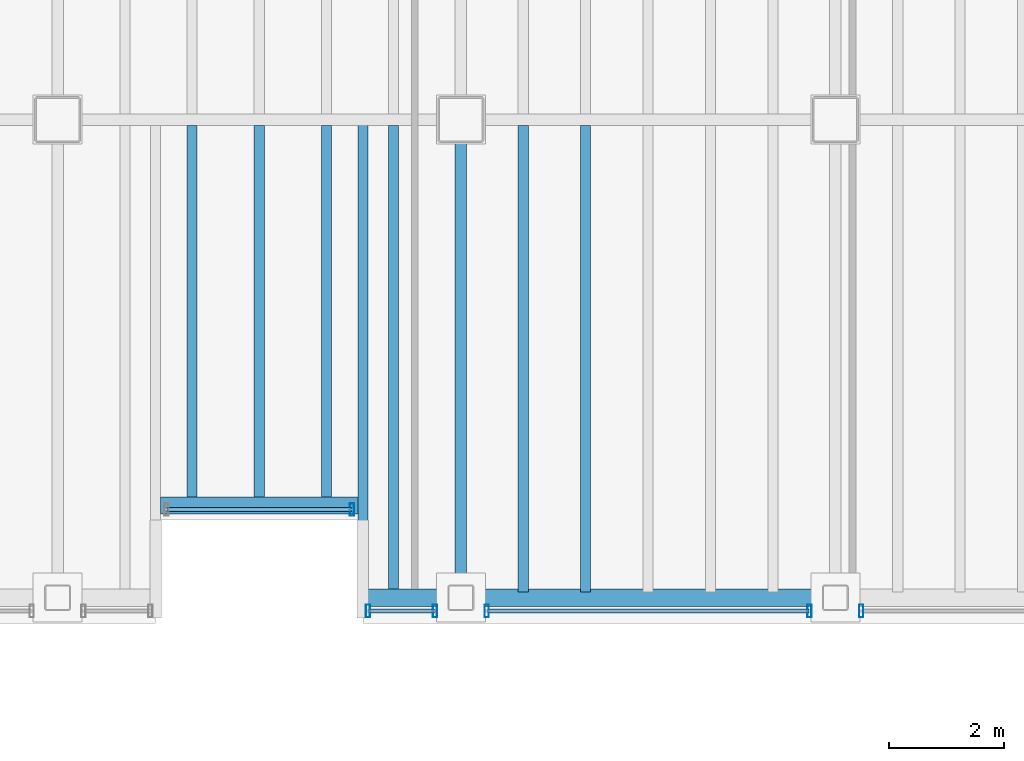
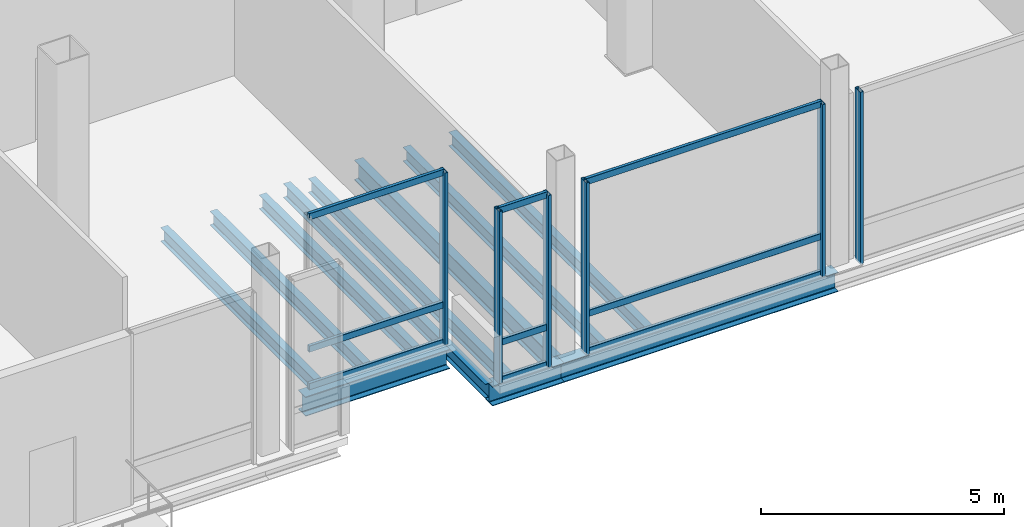
# One storey, part 4 of 15: 15 members, 11 beams, 4 elements without a shape of their own.
"""IFC4 building model written with IfcOpenShell, lengths in metres."""

from ifc_helpers import new_model, si_unit, direction, frame, origin, origin_2d, place, context, subcontext, project, spatial, hollow_rectangle, i_section, extrude, material, material_profile, profile_set, type_object, element, aggregate, save


model = new_model("IFC4")

# Units and contexts
model_context = context("Model", 3, precision=1e-05, world=origin(), true_north=direction((0.0, 1.0)))
body_context = subcontext(model_context, "Body", "Model", "MODEL_VIEW")
ifc_project = project(units=[si_unit("LENGTHUNIT", "METRE"), si_unit("AREAUNIT", "SQUARE_METRE"), si_unit("VOLUMEUNIT", "CUBIC_METRE"), si_unit("PLANEANGLEUNIT", "RADIAN"), si_unit("MASSUNIT", "GRAM", prefix="KILO")], contexts=[model_context])

# Site, building, storey
site_placement = place(None, origin())
site = spatial("IfcSite", under=ifc_project, at=site_placement, CompositionType="ELEMENT")
building_placement = place(site_placement, origin())
building = spatial("IfcBuilding", under=site, at=building_placement, Name="Noeulbin Bourse Tower", CompositionType="ELEMENT")
storey_placement = place(building_placement, frame((0.0, 0.0, 206.10009765625)))
storey = spatial("IfcBuildingStorey", under=building, at=storey_placement, Name="L51", CompositionType="ELEMENT", Elevation=206.10009765625)

# Beams
ifc_material_1 = material(Name="Steel S355", Category="steel")
ifc_material_profile_1 = material_profile(ifc_material_1, i_section(OverallWidth=0.199951171875, OverallDepth=0.5, WebThickness=0.010009765625, FlangeThickness=0.01611328125, FilletRadius=0.02001953125, at=origin_2d()), Name="H-500x200x10x16", Category="LoadBearing")
ifc_profile_set_1 = profile_set([ifc_material_profile_1], Name="Steel S355")
beam_type_1 = type_object("IfcBeamType", Name="BM-GRD-500", PredefinedType="USERDEFINED", material=ifc_profile_set_1)
beam_1_placement = place(storey_placement, frame((31.0, 11.699951171875, -0.43017578125), z_axis=(0.0, 1.0, 0.0), x_axis=(-1.0, 0.0, 0.0)))
element("IfcBeam", 1, at=beam_1_placement, inside=storey, type_object=beam_type_1, Name="Tower Primary Girder NS L51-3.1", ObjectType="GIRDER", PredefinedType="USERDEFINED", context=body_context, shape_type="SweptSolid", body=[
    extrude(i_section(OverallWidth=0.199951171875, OverallDepth=0.5, WebThickness=0.010009765625, FlangeThickness=0.01611328125, FilletRadius=0.02001953125, at=origin_2d()), origin(), (0.0, 0.0, 1.0), 8.300048828125),
])
ifc_material_profile_2 = material_profile(ifc_material_1, i_section(OverallWidth=0.175048828125, OverallDepth=0.35009765625, WebThickness=0.007080078125, FlangeThickness=0.010986328125, FilletRadius=0.013916015625, at=origin_2d()), Name="H-350x175x7x11", Category="LoadBearing")
ifc_profile_set_2 = profile_set([ifc_material_profile_2], Name="Steel S355")
beam_type_2 = type_object("IfcBeamType", Name="BM-JST-350", PredefinedType="JOIST", material=ifc_profile_set_2)
beam_2_placement = place(storey_placement, frame((29.300048828125, 11.699951171875, -0.35498046875), z_axis=(0.0, 1.0, 0.0), x_axis=(-1.0, 0.0, 0.0)))
element("IfcBeam", 2, at=beam_2_placement, inside=storey, type_object=beam_type_2, Name="BM-L51-SRT-E", PredefinedType="JOIST", context=body_context, shape_type="SweptSolid", body=[
    extrude(i_section(OverallWidth=0.175048828125, OverallDepth=0.35009765625, WebThickness=0.007080078125, FlangeThickness=0.010986328125, FilletRadius=0.013916015625, at=origin_2d()), origin(), (0.0, 0.0, 1.0), 8.300048828125),
])
for number, where, z_axis, x_axis, name in (
    (3, (26.333251953125, 13.39990234375, -0.35498046875), (0.0, 1.0, 0.0), (-1.0, 0.0, 0.0), "Tower Composite Joist L51-19"),
    (4, (27.5, 13.39990234375, -0.35498046875), (0.0, 1.0, 0.0), (-1.0, 0.0, 0.0), "Tower Composite Joist L51-21"),
    (5, (28.666748046875, 13.39990234375, -0.35498046875), (0.0, 1.0, 0.0), (-1.0, 0.0, 0.0), "Tower Composite Joist L51-23"),
):
    element("IfcBeam", number, at=place(storey_placement, frame(where, z_axis=z_axis, x_axis=x_axis)), inside=storey, type_object=beam_type_2, Name=name, PredefinedType="JOIST", context=body_context, shape_type="SweptSolid", body=[
        extrude(i_section(OverallWidth=0.175048828125, OverallDepth=0.35009765625, WebThickness=0.007080078125, FlangeThickness=0.010986328125, FilletRadius=0.013916015625, at=origin_2d()), origin(), (0.0, 0.0, 1.0), 6.5),
    ])
for number, where, z_axis, x_axis, name in (
    (6, (29.833251953125, 11.800048828125, -0.35498046875), (0.0, 1.0, 0.0), (-1.0, 0.0, 0.0), "Tower Composite Joist L51-25"),
    (7, (32.083251953125, 11.800048828125, -0.35498046875), (0.0, 1.0, 0.0), (-1.0, 0.0, 0.0), "Tower Composite Joist L51-27"),
    (8, (33.166748046875, 11.800048828125, -0.35498046875), (0.0, 1.0, 0.0), (-1.0, 0.0, 0.0), "Tower Composite Joist L51-29"),
):
    element("IfcBeam", number, at=place(storey_placement, frame(where, z_axis=z_axis, x_axis=x_axis)), inside=storey, type_object=beam_type_2, Name=name, PredefinedType="JOIST", context=body_context, shape_type="SweptSolid", body=[
        extrude(i_section(OverallWidth=0.175048828125, OverallDepth=0.35009765625, WebThickness=0.007080078125, FlangeThickness=0.010986328125, FilletRadius=0.013916015625, at=origin_2d()), origin(), (0.0, 0.0, 1.0), 8.099853515625),
    ])
ifc_material_profile_3 = material_profile(ifc_material_1, i_section(OverallWidth=0.300048828125, OverallDepth=0.488037109375, WebThickness=0.010986328125, FlangeThickness=0.01806640625, FilletRadius=0.02197265625, at=origin_2d()), Name="H-488x300x11x18", Category="LoadBearing")
ifc_profile_set_3 = profile_set([ifc_material_profile_3], Name="Steel S355")
beam_type_3 = type_object("IfcBeamType", Name="BM-SPN-488", PredefinedType="SPANDREL", material=ifc_profile_set_3)
beam_3_placement = place(storey_placement, frame((25.78759765625, 13.300048828125, -0.424072265625), z_axis=(1.0, 0.0, 0.0), x_axis=(0.0, 1.0, 0.0)))
element("IfcBeam", 9, at=beam_3_placement, inside=storey, type_object=beam_type_3, Name="South Recess Spandrel L51-2B", PredefinedType="SPANDREL", context=body_context, shape_type="SweptSolid", body=[
    extrude(i_section(OverallWidth=0.300048828125, OverallDepth=0.488037109375, WebThickness=0.010986328125, FlangeThickness=0.01806640625, FilletRadius=0.02197265625, at=origin_2d()), origin(), (0.0, 0.0, 1.0), 3.4248046875),
])
beam_4_placement = place(storey_placement, frame((29.300048828125, 11.699951171875, -0.424072265625), z_axis=(1.0, 0.0, 0.0), x_axis=(0.0, 1.0, 0.0)))
element("IfcBeam", 10, at=beam_4_placement, inside=storey, type_object=beam_type_3, Name="South Spandrel L51-2C", PredefinedType="SPANDREL", context=body_context, shape_type="SweptSolid", body=[
    extrude(i_section(OverallWidth=0.300048828125, OverallDepth=0.488037109375, WebThickness=0.010986328125, FlangeThickness=0.01806640625, FilletRadius=0.02197265625, at=origin_2d()), origin(), (0.0, 0.0, 1.0), 1.699951171875),
])
beam_5_placement = place(storey_placement, frame((31.0, 11.699951171875, -0.424072265625), z_axis=(1.0, 0.0, 0.0), x_axis=(0.0, 1.0, 0.0)))
element("IfcBeam", 11, at=beam_5_placement, inside=storey, type_object=beam_type_3, Name="South Spandrel L51-3", PredefinedType="SPANDREL", context=body_context, shape_type="SweptSolid", body=[
    extrude(i_section(OverallWidth=0.300048828125, OverallDepth=0.488037109375, WebThickness=0.010986328125, FlangeThickness=0.01806640625, FilletRadius=0.02197265625, at=origin_2d()), origin(), (0.0, 0.0, 1.0), 6.5),
])

# Curtain wall, member
ifc_material_2 = material(Name="High-Selectivity Low-Iron Glazing", Category="glass")
curtain_wall_type = type_object("IfcCurtainWallType", Name="CW-SYS-4", PredefinedType="NOTDEFINED", material=ifc_material_2)
curtain_wall_1_placement = place(storey_placement, origin())
curtain_wall_1 = element("IfcCurtainWall", 12, at=curtain_wall_1_placement, inside=storey, type_object=curtain_wall_type, Name="Unitised Curtain Wall CW-L51-SREC", PredefinedType="NOTDEFINED")
ifc_material_3 = material(Name="Anodised Aluminium 6063-T6", Category="aluminium")
ifc_material_profile_4 = material_profile(ifc_material_3, hollow_rectangle(XDim=0.074951171875, YDim=0.219970703125, WallThickness=0.0048828125, InnerFilletRadius=0.00244140625, OuterFilletRadius=0.0048828125, at=origin_2d()), Name="ALU-MULL-75x220x5", Category="LoadBearing")
ifc_profile_set_4 = profile_set([ifc_material_profile_4], Name="Anodised Aluminium 6063-T6")
member_type_1 = type_object("IfcMemberType", Name="CW-SYS-4-MUL", PredefinedType="MULLION", material=ifc_profile_set_4)
member_1_placement = place(storey_placement, frame((29.110107421875, 13.22998046875, -0.02001953125), z_axis=(0.0, 0.0, 1.0), x_axis=(1.0, 0.0, 0.0)))
member_1 = element("IfcMember", 13, at=member_1_placement, type_object=member_type_1, Name="Curtain Wall Mullion CW-L51-SREC-M01", PredefinedType="MULLION", context=body_context, shape_type="SweptSolid", body=[
    extrude(hollow_rectangle(XDim=0.074951171875, YDim=0.219970703125, WallThickness=0.0048828125, InnerFilletRadius=0.00244140625, OuterFilletRadius=0.0048828125, at=origin_2d()), origin(), (0.0, 0.0, 1.0), 4.31982421875),
])

# Curtain wall, members
curtain_wall_2_placement = place(storey_placement, origin())
curtain_wall_2 = element("IfcCurtainWall", 14, at=curtain_wall_2_placement, inside=storey, type_object=curtain_wall_type, Name="Unitised Curtain Wall CW-L51-S3-S1", PredefinedType="NOTDEFINED")
member_2_placement = place(storey_placement, frame((29.389892578125, 11.469970703125, -0.02001953125), z_axis=(0.0, 0.0, 1.0), x_axis=(1.0, 0.0, 0.0)))
member_2 = element("IfcMember", 15, at=member_2_placement, type_object=member_type_1, Name="Curtain Wall Mullion CW-L51-S3-S1-M00", PredefinedType="MULLION", context=body_context, shape_type="SweptSolid", body=[
    extrude(hollow_rectangle(XDim=0.074951171875, YDim=0.219970703125, WallThickness=0.0048828125, InnerFilletRadius=0.00244140625, OuterFilletRadius=0.0048828125, at=origin_2d()), origin(), (0.0, 0.0, 1.0), 4.31982421875),
])
member_3_placement = place(storey_placement, frame((30.550048828125, 11.469970703125, -0.02001953125), z_axis=(0.0, 0.0, 1.0), x_axis=(1.0, 0.0, 0.0)))
member_3 = element("IfcMember", 16, at=member_3_placement, type_object=member_type_1, Name="Curtain Wall Mullion CW-L51-S3-S1-M01", PredefinedType="MULLION", context=body_context, shape_type="SweptSolid", body=[
    extrude(hollow_rectangle(XDim=0.074951171875, YDim=0.219970703125, WallThickness=0.0048828125, InnerFilletRadius=0.00244140625, OuterFilletRadius=0.0048828125, at=origin_2d()), origin(), (0.0, 0.0, 1.0), 4.31982421875),
])

curtain_wall_3_placement = place(storey_placement, origin())
curtain_wall_3 = element("IfcCurtainWall", 17, at=curtain_wall_3_placement, inside=storey, type_object=curtain_wall_type, Name="Unitised Curtain Wall CW-L51-S3-S2", PredefinedType="NOTDEFINED")
member_4_placement = place(storey_placement, frame((31.449951171875, 11.469970703125, -0.02001953125), z_axis=(0.0, 0.0, 1.0), x_axis=(1.0, 0.0, 0.0)))
member_4 = element("IfcMember", 18, at=member_4_placement, type_object=member_type_1, Name="Curtain Wall Mullion CW-L51-S3-S2-M00", PredefinedType="MULLION", context=body_context, shape_type="SweptSolid", body=[
    extrude(hollow_rectangle(XDim=0.074951171875, YDim=0.219970703125, WallThickness=0.0048828125, InnerFilletRadius=0.00244140625, OuterFilletRadius=0.0048828125, at=origin_2d()), origin(), (0.0, 0.0, 1.0), 4.31982421875),
])
member_5_placement = place(storey_placement, frame((37.050048828125, 11.469970703125, -0.02001953125), z_axis=(0.0, 0.0, 1.0), x_axis=(1.0, 0.0, 0.0)))
member_5 = element("IfcMember", 19, at=member_5_placement, type_object=member_type_1, Name="Curtain Wall Mullion CW-L51-S3-S2-M01", PredefinedType="MULLION", context=body_context, shape_type="SweptSolid", body=[
    extrude(hollow_rectangle(XDim=0.074951171875, YDim=0.219970703125, WallThickness=0.0048828125, InnerFilletRadius=0.00244140625, OuterFilletRadius=0.0048828125, at=origin_2d()), origin(), (0.0, 0.0, 1.0), 4.31982421875),
])

# Curtain wall, member
curtain_wall_4_placement = place(storey_placement, origin())
curtain_wall_4 = element("IfcCurtainWall", 20, at=curtain_wall_4_placement, inside=storey, type_object=curtain_wall_type, Name="Unitised Curtain Wall CW-L51-S3-S3", PredefinedType="NOTDEFINED")
member_6_placement = place(storey_placement, frame((37.949951171875, 11.469970703125, -0.02001953125), z_axis=(0.0, 0.0, 1.0), x_axis=(1.0, 0.0, 0.0)))
member_6 = element("IfcMember", 21, at=member_6_placement, type_object=member_type_1, Name="Curtain Wall Mullion CW-L51-S3-S3-M00", PredefinedType="MULLION", context=body_context, shape_type="SweptSolid", body=[
    extrude(hollow_rectangle(XDim=0.074951171875, YDim=0.219970703125, WallThickness=0.0048828125, InnerFilletRadius=0.00244140625, OuterFilletRadius=0.0048828125, at=origin_2d()), origin(), (0.0, 0.0, 1.0), 4.31982421875),
])
aggregate(curtain_wall_4, [member_6])

# Member
ifc_material_profile_5 = material_profile(ifc_material_3, hollow_rectangle(XDim=0.074951171875, YDim=0.159912109375, WallThickness=0.0048828125, InnerFilletRadius=0.00244140625, OuterFilletRadius=0.0048828125, at=origin_2d()), Name="ALU-TRAN-75x160x5", Category="LoadBearing")
ifc_profile_set_5 = profile_set([ifc_material_profile_5], Name="Anodised Aluminium 6063-T6")
member_type_2 = type_object("IfcMemberType", Name="CW-SYS-4-TRN", PredefinedType="USERDEFINED", material=ifc_profile_set_5)
member_7_placement = place(storey_placement, frame((25.89990234375, 13.22998046875, 0.010009765625), z_axis=(1.0, 0.0, 0.0), x_axis=(0.0, 1.0, 0.0)))
member_7 = element("IfcMember", 22, at=member_7_placement, type_object=member_type_2, Name="Curtain Wall Transom CW-L51-SREC-T00", ObjectType="TRANSOM", PredefinedType="USERDEFINED", context=body_context, shape_type="SweptSolid", body=[
    extrude(hollow_rectangle(XDim=0.074951171875, YDim=0.159912109375, WallThickness=0.0048828125, InnerFilletRadius=0.00244140625, OuterFilletRadius=0.0048828125, at=origin_2d()), origin(), (0.0, 0.0, 1.0), 3.2001953125),
])

member_8_placement = place(storey_placement, frame((25.89990234375, 13.22998046875, 0.949951171875), z_axis=(1.0, 0.0, 0.0), x_axis=(0.0, 1.0, 0.0)))
member_8 = element("IfcMember", 23, at=member_8_placement, type_object=member_type_2, Name="Curtain Wall Transom CW-L51-SREC-T01", ObjectType="TRANSOM", PredefinedType="USERDEFINED", context=body_context, shape_type="SweptSolid", body=[
    extrude(hollow_rectangle(XDim=0.074951171875, YDim=0.159912109375, WallThickness=0.0048828125, InnerFilletRadius=0.00244140625, OuterFilletRadius=0.0048828125, at=origin_2d()), origin(), (0.0, 0.0, 1.0), 3.2001953125),
])

member_9_placement = place(storey_placement, frame((25.89990234375, 13.22998046875, 4.27001953125), z_axis=(1.0, 0.0, 0.0), x_axis=(0.0, 1.0, 0.0)))
member_9 = element("IfcMember", 24, at=member_9_placement, type_object=member_type_2, Name="Curtain Wall Transom CW-L51-SREC-T02", ObjectType="TRANSOM", PredefinedType="USERDEFINED", context=body_context, shape_type="SweptSolid", body=[
    extrude(hollow_rectangle(XDim=0.074951171875, YDim=0.159912109375, WallThickness=0.0048828125, InnerFilletRadius=0.00244140625, OuterFilletRadius=0.0048828125, at=origin_2d()), origin(), (0.0, 0.0, 1.0), 3.2001953125),
])

aggregate(curtain_wall_1, [member_1, member_7, member_8, member_9])

member_10_placement = place(storey_placement, frame((29.39990234375, 11.469970703125, 0.010009765625), z_axis=(1.0, 0.0, 0.0), x_axis=(0.0, 1.0, 0.0)))
member_10 = element("IfcMember", 25, at=member_10_placement, type_object=member_type_2, Name="Curtain Wall Transom CW-L51-S3-S1-T00", ObjectType="TRANSOM", PredefinedType="USERDEFINED", context=body_context, shape_type="SweptSolid", body=[
    extrude(hollow_rectangle(XDim=0.074951171875, YDim=0.159912109375, WallThickness=0.0048828125, InnerFilletRadius=0.00244140625, OuterFilletRadius=0.0048828125, at=origin_2d()), origin(), (0.0, 0.0, 1.0), 1.14013671875),
])

member_11_placement = place(storey_placement, frame((29.39990234375, 11.469970703125, 0.949951171875), z_axis=(1.0, 0.0, 0.0), x_axis=(0.0, 1.0, 0.0)))
member_11 = element("IfcMember", 26, at=member_11_placement, type_object=member_type_2, Name="Curtain Wall Transom CW-L51-S3-S1-T01", ObjectType="TRANSOM", PredefinedType="USERDEFINED", context=body_context, shape_type="SweptSolid", body=[
    extrude(hollow_rectangle(XDim=0.074951171875, YDim=0.159912109375, WallThickness=0.0048828125, InnerFilletRadius=0.00244140625, OuterFilletRadius=0.0048828125, at=origin_2d()), origin(), (0.0, 0.0, 1.0), 1.14013671875),
])

member_12_placement = place(storey_placement, frame((29.39990234375, 11.469970703125, 4.27001953125), z_axis=(1.0, 0.0, 0.0), x_axis=(0.0, 1.0, 0.0)))
member_12 = element("IfcMember", 27, at=member_12_placement, type_object=member_type_2, Name="Curtain Wall Transom CW-L51-S3-S1-T02", ObjectType="TRANSOM", PredefinedType="USERDEFINED", context=body_context, shape_type="SweptSolid", body=[
    extrude(hollow_rectangle(XDim=0.074951171875, YDim=0.159912109375, WallThickness=0.0048828125, InnerFilletRadius=0.00244140625, OuterFilletRadius=0.0048828125, at=origin_2d()), origin(), (0.0, 0.0, 1.0), 1.14013671875),
])

aggregate(curtain_wall_2, [member_2, member_3, member_10, member_11, member_12])

member_13_placement = place(storey_placement, frame((31.4599609375, 11.469970703125, 0.010009765625), z_axis=(1.0, 0.0, 0.0), x_axis=(0.0, 1.0, 0.0)))
member_13 = element("IfcMember", 28, at=member_13_placement, type_object=member_type_2, Name="Curtain Wall Transom CW-L51-S3-S2-T00", ObjectType="TRANSOM", PredefinedType="USERDEFINED", context=body_context, shape_type="SweptSolid", body=[
    extrude(hollow_rectangle(XDim=0.074951171875, YDim=0.159912109375, WallThickness=0.0048828125, InnerFilletRadius=0.00244140625, OuterFilletRadius=0.0048828125, at=origin_2d()), origin(), (0.0, 0.0, 1.0), 5.580078125),
])

member_14_placement = place(storey_placement, frame((31.4599609375, 11.469970703125, 0.949951171875), z_axis=(1.0, 0.0, 0.0), x_axis=(0.0, 1.0, 0.0)))
member_14 = element("IfcMember", 29, at=member_14_placement, type_object=member_type_2, Name="Curtain Wall Transom CW-L51-S3-S2-T01", ObjectType="TRANSOM", PredefinedType="USERDEFINED", context=body_context, shape_type="SweptSolid", body=[
    extrude(hollow_rectangle(XDim=0.074951171875, YDim=0.159912109375, WallThickness=0.0048828125, InnerFilletRadius=0.00244140625, OuterFilletRadius=0.0048828125, at=origin_2d()), origin(), (0.0, 0.0, 1.0), 5.580078125),
])

member_15_placement = place(storey_placement, frame((31.4599609375, 11.469970703125, 4.27001953125), z_axis=(1.0, 0.0, 0.0), x_axis=(0.0, 1.0, 0.0)))
member_15 = element("IfcMember", 30, at=member_15_placement, type_object=member_type_2, Name="Curtain Wall Transom CW-L51-S3-S2-T02", ObjectType="TRANSOM", PredefinedType="USERDEFINED", context=body_context, shape_type="SweptSolid", body=[
    extrude(hollow_rectangle(XDim=0.074951171875, YDim=0.159912109375, WallThickness=0.0048828125, InnerFilletRadius=0.00244140625, OuterFilletRadius=0.0048828125, at=origin_2d()), origin(), (0.0, 0.0, 1.0), 5.580078125),
])

aggregate(curtain_wall_3, [member_4, member_5, member_13, member_14, member_15])

save(model, "model.ifc")
